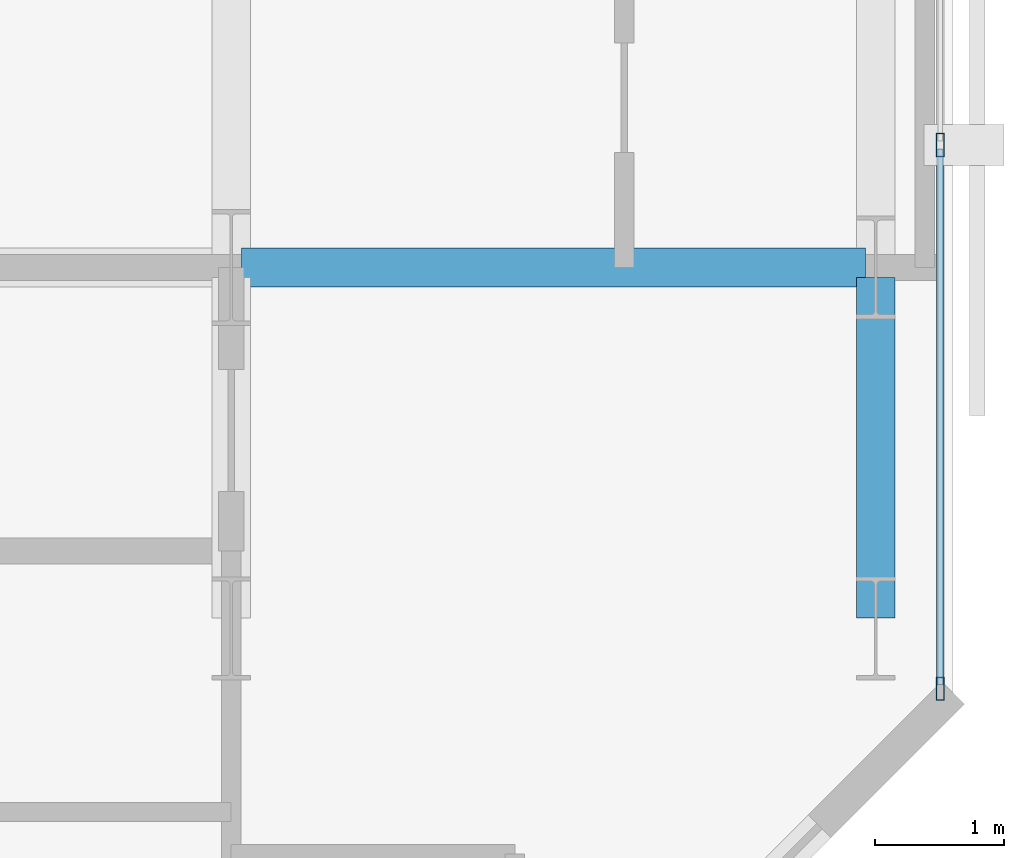
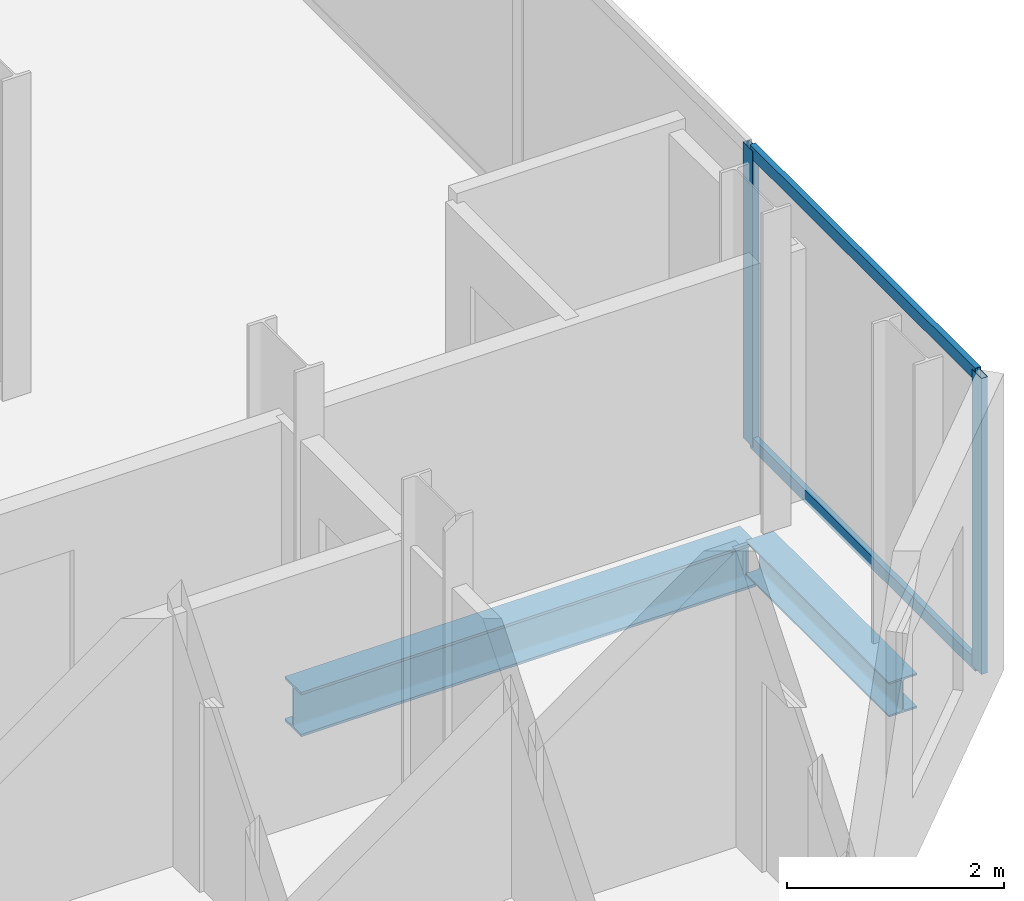
# One storey, part 17 of 33: 4 members, 2 beams, 1 element without a shape of its own.
"""IFC4 building model written with IfcOpenShell, lengths in metres."""

from ifc_helpers import new_model, si_unit, direction, frame, origin, origin_2d, place, context, subcontext, project, spatial, hollow_rectangle, i_section, extrude, material, layer, layer_set, material_profile, profile_set, type_object, element, aggregate, save


model = new_model("IFC4")

# Units and contexts
model_context = context("Model", 3, precision=1e-05, world=origin(), true_north=direction((0.0, 1.0)))
body_context = subcontext(model_context, "Body", "Model", "MODEL_VIEW")
ifc_project = project(units=[si_unit("LENGTHUNIT", "METRE"), si_unit("AREAUNIT", "SQUARE_METRE"), si_unit("VOLUMEUNIT", "CUBIC_METRE"), si_unit("PLANEANGLEUNIT", "RADIAN"), si_unit("MASSUNIT", "GRAM", prefix="KILO")], contexts=[model_context])

# Site, building, storey
site_placement = place(None, origin())
site = spatial("IfcSite", under=ifc_project, at=site_placement, CompositionType="ELEMENT")
building_placement = place(site_placement, origin())
building = spatial("IfcBuilding", under=site, at=building_placement, Name="Catumbela Crestline Tower", CompositionType="ELEMENT")
storey_placement = place(building_placement, frame((0.0, 0.0, 54.6)))
storey = spatial("IfcBuildingStorey", under=building, at=storey_placement, Name="L13", CompositionType="ELEMENT", Elevation=54.6)

# Beam
ifc_material_1 = material(Name="Structural steel S355J2", Category="steel")
ifc_material_profile_1 = material_profile(ifc_material_1, i_section(OverallWidth=0.3, OverallDepth=0.5, WebThickness=0.0145, FlangeThickness=0.028, FilletRadius=0.027, at=origin_2d()), Name="HEB 500")
ifc_profile_set_1 = profile_set([ifc_material_profile_1], Name="Structural steel S355J2")
beam_type_1 = type_object("IfcBeamType", Name="BG-HEB500", PredefinedType="BEAM", material=ifc_profile_set_1)
beam_1_placement = place(storey_placement, frame((50.48, 30.8, -0.51), z_axis=(1.0, 0.0, 0.0), x_axis=(0.0, 1.0, 0.0)))
element("IfcBeam", 1, at=beam_1_placement, inside=storey, type_object=beam_type_1, Name="L13 Beam BM-L13-M12", PredefinedType="BEAM", context=body_context, shape_type="SweptSolid", body=[
    extrude(i_section(OverallWidth=0.3, OverallDepth=0.5, WebThickness=0.0145, FlangeThickness=0.028, FilletRadius=0.027, at=origin_2d()), origin(), (0.0, 0.0, 1.0), 4.84),
])

# Curtain wall, members
ifc_material_2 = material(Name="Aluminium alloy AW-6060-T66", Category="aluminium")
ifc_layer = layer(ifc_material_2, 0.18, Name="Aluminium alloy AW-6060-T66")
ifc_layer_set = layer_set([ifc_layer], Name="Aluminium alloy AW-6060-T66")
curtain_wall_type = type_object("IfcCurtainWallType", Name="CWU-Z1", PredefinedType="USERDEFINED", material=ifc_layer_set)
curtain_wall_placement = place(storey_placement, origin())
curtain_wall = element("IfcCurtainWall", 2, at=curtain_wall_placement, inside=storey, type_object=curtain_wall_type, Name="L13 Unitised Curtain Wall CW-L13-E5S1", ObjectType="UNITISED", PredefinedType="USERDEFINED")
ifc_material_profile_2 = material_profile(ifc_material_2, hollow_rectangle(XDim=0.065, YDim=0.18, WallThickness=0.004, at=origin_2d()), Name="ALU 180x65x4")
ifc_profile_set_2 = profile_set([ifc_material_profile_2], Name="Aluminium alloy AW-6060-T66")
member_type_1 = type_object("IfcMemberType", Name="MUL-180X65", PredefinedType="MULLION", material=ifc_profile_set_2)
member_1_placement = place(storey_placement, frame((55.9, 27.5325, 0.0), z_axis=(0.0, 0.0, 1.0), x_axis=(-1.0, 0.0, 0.0)))
member_1 = element("IfcMember", 3, at=member_1_placement, type_object=member_type_1, Name="CWU-Z1 mullion 1", PredefinedType="MULLION", context=body_context, shape_type="SweptSolid", body=[
    extrude(hollow_rectangle(XDim=0.065, YDim=0.18, WallThickness=0.004, at=origin_2d()), origin(), (0.0, 0.0, 1.0), 3.33),
])
member_2_placement = place(storey_placement, frame((55.9, 31.75, 0.0), z_axis=(0.0, 0.0, 1.0), x_axis=(-1.0, 0.0, 0.0)))
member_2 = element("IfcMember", 4, at=member_2_placement, type_object=member_type_1, Name="CWU-Z1 mullion 2", PredefinedType="MULLION", context=body_context, shape_type="SweptSolid", body=[
    extrude(hollow_rectangle(XDim=0.065, YDim=0.18, WallThickness=0.004, at=origin_2d()), origin(), (0.0, 0.0, 1.0), 3.33),
])

# Beam
ifc_material_profile_3 = material_profile(ifc_material_1, i_section(OverallWidth=0.3, OverallDepth=0.39, WebThickness=0.011, FlangeThickness=0.019, FilletRadius=0.027, at=origin_2d()), Name="HEA 400")
ifc_profile_set_3 = profile_set([ifc_material_profile_3], Name="Structural steel S355J2")
beam_type_2 = type_object("IfcBeamType", Name="BS-HEA400", PredefinedType="SPANDREL", material=ifc_profile_set_3)
beam_2_placement = place(storey_placement, frame((55.4, 28.08, -0.455), z_axis=(0.0, 1.0, 0.0), x_axis=(-1.0, 0.0, 0.0)))
element("IfcBeam", 5, at=beam_2_placement, inside=storey, type_object=beam_type_2, Name="L13 Spandrel SP-L13-SN40", PredefinedType="SPANDREL", context=body_context, shape_type="SweptSolid", body=[
    extrude(i_section(OverallWidth=0.3, OverallDepth=0.39, WebThickness=0.011, FlangeThickness=0.019, FilletRadius=0.027, at=origin_2d()), origin(), (0.0, 0.0, 1.0), 2.64),
])

# Member
ifc_material_profile_4 = material_profile(ifc_material_2, hollow_rectangle(XDim=0.06, YDim=0.14, WallThickness=0.004, at=origin_2d()), Name="ALU 140x60x4")
ifc_profile_set_4 = profile_set([ifc_material_profile_4], Name="Aluminium alloy AW-6060-T66")
member_type_2 = type_object("IfcMemberType", Name="TRN-140X60", PredefinedType="USERDEFINED", material=ifc_profile_set_4)
member_3_placement = place(storey_placement, frame((55.9, 27.565, 0.03), z_axis=(0.0, 1.0, 0.0), x_axis=(-1.0, 0.0, 0.0)))
member_3 = element("IfcMember", 6, at=member_3_placement, type_object=member_type_2, Name="CWU-Z1 transom 1.1", ObjectType="TRANSOM", PredefinedType="USERDEFINED", context=body_context, shape_type="SweptSolid", body=[
    extrude(hollow_rectangle(XDim=0.06, YDim=0.14, WallThickness=0.004, at=origin_2d()), origin(), (0.0, 0.0, 1.0), 4.1525),
])

member_4_placement = place(storey_placement, frame((55.9, 27.565, 3.3), z_axis=(0.0, 1.0, 0.0), x_axis=(-1.0, 0.0, 0.0)))
member_4 = element("IfcMember", 7, at=member_4_placement, type_object=member_type_2, Name="CWU-Z1 transom 1.2", ObjectType="TRANSOM", PredefinedType="USERDEFINED", context=body_context, shape_type="SweptSolid", body=[
    extrude(hollow_rectangle(XDim=0.06, YDim=0.14, WallThickness=0.004, at=origin_2d()), origin(), (0.0, 0.0, 1.0), 4.1525),
])

aggregate(curtain_wall, [member_1, member_2, member_3, member_4])

save(model, "model.ifc")
